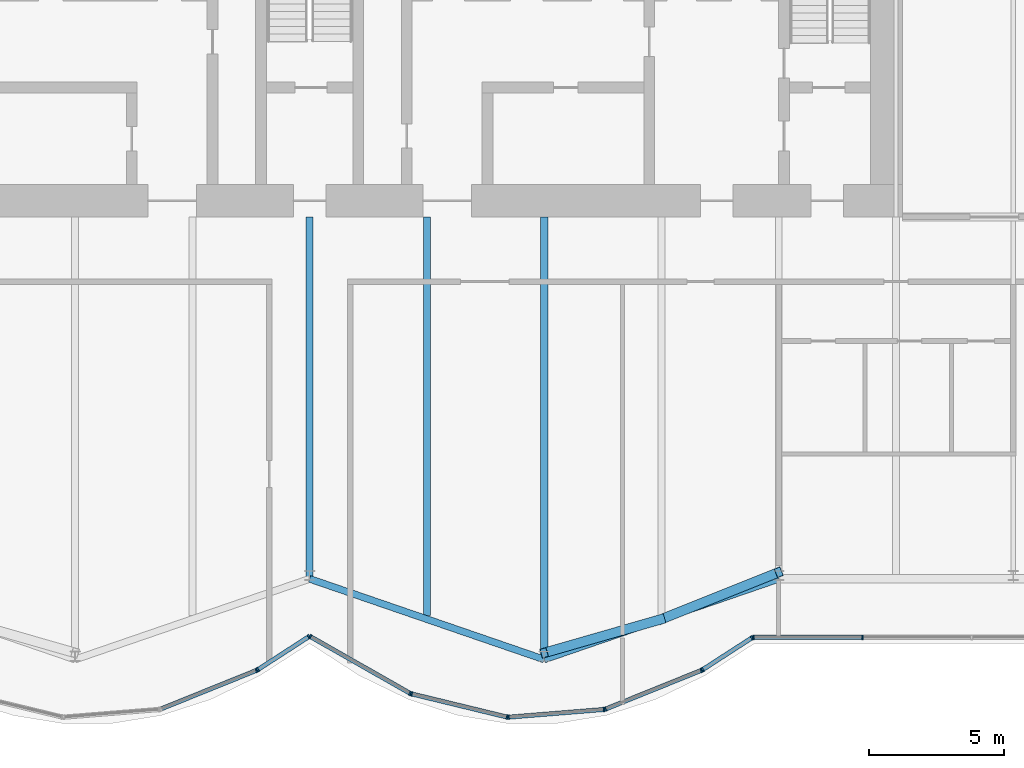
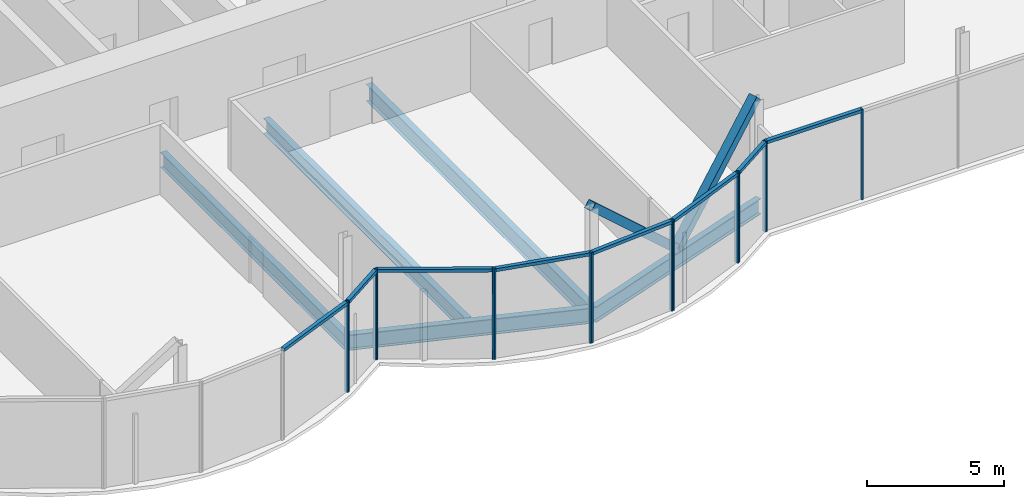
# One storey, part 8 of 19: 25 members, 5 beams, 3 elements without a shape of their own.
"""IFC4 building model written with IfcOpenShell, lengths in metres."""

from ifc_helpers import new_model, si_unit, direction, frame, origin, origin_2d, place, context, subcontext, project, spatial, rectangle, hollow_rectangle, i_section, extrude, material, material_profile, profile_set, type_object, element, aggregate, save


model = new_model("IFC4")

# Units and contexts
model_context = context("Model", 3, precision=1e-05, world=origin(), true_north=direction((0.0, 1.0)))
body_context = subcontext(model_context, "Body", "Model", "MODEL_VIEW")
ifc_project = project(units=[si_unit("LENGTHUNIT", "METRE"), si_unit("AREAUNIT", "SQUARE_METRE"), si_unit("VOLUMEUNIT", "CUBIC_METRE"), si_unit("PLANEANGLEUNIT", "RADIAN"), si_unit("MASSUNIT", "GRAM", prefix="KILO")], contexts=[model_context])

# Site, building, storey
site_placement = place(None, origin())
site = spatial("IfcSite", under=ifc_project, at=site_placement, CompositionType="ELEMENT")
building_placement = place(site_placement, origin())
building = spatial("IfcBuilding", under=site, at=building_placement, Name="Bicima Exchange Tower", CompositionType="ELEMENT")
storey_placement = place(building_placement, frame((0.0, 0.0, 266.60009765625)))
storey = spatial("IfcBuildingStorey", under=building, at=storey_placement, Name="L60", CompositionType="ELEMENT", Elevation=266.60009765625)

# Beams
ifc_material_1 = material(Name="Steel ASTM A992 Gr 50", Category="steel")
ifc_material_profile_1 = material_profile(ifc_material_1, i_section(OverallWidth=0.25390625, OverallDepth=0.67822265625, WebThickness=0.01171875, FlangeThickness=0.016357421875, at=origin_2d()))
ifc_profile_set_1 = profile_set([ifc_material_profile_1], Name="Steel ASTM A992 Gr 50")
beam_type_1 = type_object("IfcBeamType", Name="Floor beam W27x84", PredefinedType="JOIST", material=ifc_profile_set_1)
beam_1_placement = place(storey_placement, frame((0.0, -13.0, -0.4892578125), z_axis=(0.0, -1.0, 0.0), x_axis=(1.0, 0.0, 0.0)))
element("IfcBeam", 1, at=beam_1_placement, inside=storey, type_object=beam_type_1, Name="Floor beam", PredefinedType="JOIST", context=body_context, shape_type="SweptSolid", body=[
    extrude(i_section(OverallWidth=0.25390625, OverallDepth=0.67822265625, WebThickness=0.01171875, FlangeThickness=0.016357421875, at=origin_2d()), origin(), (0.0, 0.0, 1.0), 13.424072265625),
])
beam_2_placement = place(storey_placement, frame((4.35009765625, -13.0, -0.4892578125), z_axis=(0.0, -1.0, 0.0), x_axis=(1.0, 0.0, 0.0)))
element("IfcBeam", 2, at=beam_2_placement, inside=storey, type_object=beam_type_1, Name="Floor beam", PredefinedType="JOIST", context=body_context, shape_type="SweptSolid", body=[
    extrude(i_section(OverallWidth=0.25390625, OverallDepth=0.67822265625, WebThickness=0.01171875, FlangeThickness=0.016357421875, at=origin_2d()), origin(), (0.0, 0.0, 1.0), 14.783935546875),
])
ifc_material_profile_2 = material_profile(ifc_material_1, i_section(OverallWidth=0.2666015625, OverallDepth=0.75439453125, WebThickness=0.01318359375, FlangeThickness=0.01708984375, at=origin_2d()))
ifc_profile_set_2 = profile_set([ifc_material_profile_2], Name="Steel ASTM A992 Gr 50")
beam_type_2 = type_object("IfcBeamType", Name="Floor beam W30x99", PredefinedType="JOIST", material=ifc_profile_set_2)
beam_3_placement = place(storey_placement, frame((8.699951171875, -13.0, -0.52734375), z_axis=(0.0, -1.0, 0.0), x_axis=(1.0, 0.0, 0.0)))
element("IfcBeam", 3, at=beam_3_placement, inside=storey, type_object=beam_type_2, Name="Floor beam", PredefinedType="JOIST", context=body_context, shape_type="SweptSolid", body=[
    extrude(i_section(OverallWidth=0.2666015625, OverallDepth=0.75439453125, WebThickness=0.01318359375, FlangeThickness=0.01708984375, at=origin_2d()), origin(), (0.0, 0.0, 1.0), 16.279296875),
])
ifc_material_profile_3 = material_profile(ifc_material_1, i_section(OverallWidth=0.256591796875, OverallDepth=0.693359375, WebThickness=0.014404296875, FlangeThickness=0.023681640625, at=origin_2d()))
ifc_profile_set_3 = profile_set([ifc_material_profile_3], Name="Steel ASTM A992 Gr 50")
beam_type_3 = type_object("IfcBeamType", Name="Front girder W27x114", PredefinedType="BEAM", material=ifc_profile_set_3)
for number, where, z_axis, x_axis, name in (
    (4, (0.0, -26.424072265625, -0.496826171875), (0.945674616091, -0.32511462668, 0.0), (0.32511462668, 0.945674616091, 0.0), "Front girder"),
    (5, (8.699951171875, -29.4150390625, -0.496826171875), (0.945674616091, 0.32511462668, 0.0), (-0.32511462668, 0.945674616091, 0.0), "Front girder"),
):
    element("IfcBeam", number, at=place(storey_placement, frame(where, z_axis=z_axis, x_axis=x_axis)), inside=storey, type_object=beam_type_3, Name=name, PredefinedType="BEAM", context=body_context, shape_type="SweptSolid", body=[
        extrude(i_section(OverallWidth=0.256591796875, OverallDepth=0.693359375, WebThickness=0.014404296875, FlangeThickness=0.023681640625, at=origin_2d()), origin(), (0.0, 0.0, 1.0), 9.19970703125),
    ])

# Curtain wall, members
ifc_material_2 = material(Name="Anodised bronze aluminium", Category="aluminium")
curtain_wall_type = type_object("IfcCurtainWallType", Name="Front glass wall", PredefinedType="NOTDEFINED", material=ifc_material_2)
curtain_wall_1_placement = place(storey_placement, origin())
curtain_wall_1 = element("IfcCurtainWall", 6, at=curtain_wall_1_placement, inside=storey, type_object=curtain_wall_type, Name="Front glass wall L60 run 6", PredefinedType="NOTDEFINED")
ifc_material_profile_4 = material_profile(ifc_material_2, rectangle(XDim=0.159912109375, YDim=0.06005859375, at=origin_2d()))
ifc_profile_set_4 = profile_set([ifc_material_profile_4], Name="Anodised bronze aluminium")
member_type_1 = type_object("IfcMemberType", Name="Front glass wall mullion 60 x 160", PredefinedType="MULLION", material=ifc_profile_set_4)
member_1_placement = place(storey_placement, frame((-1.97412109375, -29.819580078125, 0.0), z_axis=(0.0, 0.0, 1.0), x_axis=(-0.374705304, 0.92714396679, 0.0)))
member_1 = element("IfcMember", 7, at=member_1_placement, type_object=member_type_1, Name="Front glass wall mullion 2", PredefinedType="MULLION", context=body_context, shape_type="SweptSolid", body=[
    extrude(rectangle(XDim=0.159912109375, YDim=0.06005859375, at=origin_2d()), origin(), (0.0, 0.0, 1.0), 4.0498046875),
])
member_2_placement = place(storey_placement, frame((-1.921142578125, -29.7919921875, 0.0), z_axis=(0.0, 0.0, 1.0), x_axis=(-0.542897457326, 0.839798994301, 0.0)))
member_2 = element("IfcMember", 8, at=member_2_placement, type_object=member_type_1, Name="Front glass wall mullion 1", PredefinedType="MULLION", context=body_context, shape_type="SweptSolid", body=[
    extrude(rectangle(XDim=0.159912109375, YDim=0.06005859375, at=origin_2d()), origin(), (0.0, 0.0, 1.0), 4.0498046875),
])
member_3_placement = place(storey_placement, frame((-0.025146484375, -28.56640625, 0.0), z_axis=(0.0, 0.0, 1.0), x_axis=(-0.542897457326, 0.839798994301, 0.0)))
member_3 = element("IfcMember", 9, at=member_3_placement, type_object=member_type_1, Name="Front glass wall mullion 2", PredefinedType="MULLION", context=body_context, shape_type="SweptSolid", body=[
    extrude(rectangle(XDim=0.159912109375, YDim=0.06005859375, at=origin_2d()), origin(), (0.0, 0.0, 1.0), 4.0498046875),
])

curtain_wall_2_placement = place(storey_placement, origin())
curtain_wall_2 = element("IfcCurtainWall", 10, at=curtain_wall_2_placement, inside=storey, type_object=curtain_wall_type, Name="Front glass wall L60 run 11", PredefinedType="NOTDEFINED")
member_4_placement = place(storey_placement, frame((0.026123046875, -28.56494140625, 0.0), z_axis=(0.0, 0.0, 1.0), x_axis=(0.494330311331, 0.869274147378, 0.0)))
member_4 = element("IfcMember", 11, at=member_4_placement, type_object=member_type_1, Name="Front glass wall mullion 1", PredefinedType="MULLION", context=body_context, shape_type="SweptSolid", body=[
    extrude(rectangle(XDim=0.159912109375, YDim=0.06005859375, at=origin_2d()), origin(), (0.0, 0.0, 1.0), 4.0498046875),
])
member_5_placement = place(storey_placement, frame((3.7265625, -30.66943359375, 0.0), z_axis=(0.0, 0.0, 1.0), x_axis=(0.494330311331, 0.869274147378, 0.0)))
member_5 = element("IfcMember", 12, at=member_5_placement, type_object=member_type_1, Name="Front glass wall mullion 2", PredefinedType="MULLION", context=body_context, shape_type="SweptSolid", body=[
    extrude(rectangle(XDim=0.159912109375, YDim=0.06005859375, at=origin_2d()), origin(), (0.0, 0.0, 1.0), 4.0498046875),
])
member_6_placement = place(storey_placement, frame((3.781982421875, -30.69140625, 0.0), z_axis=(0.0, 0.0, 1.0), x_axis=(0.235681529503, 0.971830343553, 0.0)))
member_6 = element("IfcMember", 13, at=member_6_placement, type_object=member_type_1, Name="Front glass wall mullion 1", PredefinedType="MULLION", context=body_context, shape_type="SweptSolid", body=[
    extrude(rectangle(XDim=0.159912109375, YDim=0.06005859375, at=origin_2d()), origin(), (0.0, 0.0, 1.0), 4.0498046875),
])
member_7_placement = place(storey_placement, frame((7.322509765625, -31.5498046875, 0.0), z_axis=(0.0, 0.0, 1.0), x_axis=(0.235681529503, 0.971830343553, 0.0)))
member_7 = element("IfcMember", 14, at=member_7_placement, type_object=member_type_1, Name="Front glass wall mullion 2", PredefinedType="MULLION", context=body_context, shape_type="SweptSolid", body=[
    extrude(rectangle(XDim=0.159912109375, YDim=0.06005859375, at=origin_2d()), origin(), (0.0, 0.0, 1.0), 4.0498046875),
])
member_8_placement = place(storey_placement, frame((7.381591796875, -31.5546875, 0.0), z_axis=(0.0, 0.0, 1.0), x_axis=(-0.080588612633, 0.99674744821, 0.0)))
member_8 = element("IfcMember", 15, at=member_8_placement, type_object=member_type_1, Name="Front glass wall mullion 1", PredefinedType="MULLION", context=body_context, shape_type="SweptSolid", body=[
    extrude(rectangle(XDim=0.159912109375, YDim=0.06005859375, at=origin_2d()), origin(), (0.0, 0.0, 1.0), 4.0498046875),
])
member_9_placement = place(storey_placement, frame((10.916015625, -31.268798828125, 0.0), z_axis=(0.0, 0.0, 1.0), x_axis=(-0.080588612633, 0.99674744821, 0.0)))
member_9 = element("IfcMember", 16, at=member_9_placement, type_object=member_type_1, Name="Front glass wall mullion 2", PredefinedType="MULLION", context=body_context, shape_type="SweptSolid", body=[
    extrude(rectangle(XDim=0.159912109375, YDim=0.06005859375, at=origin_2d()), origin(), (0.0, 0.0, 1.0), 4.0498046875),
])
member_10_placement = place(storey_placement, frame((10.973876953125, -31.255126953125, 0.0), z_axis=(0.0, 0.0, 1.0), x_axis=(-0.374705304, 0.92714396679, 0.0)))
member_10 = element("IfcMember", 17, at=member_10_placement, type_object=member_type_1, Name="Front glass wall mullion 1", PredefinedType="MULLION", context=body_context, shape_type="SweptSolid", body=[
    extrude(rectangle(XDim=0.159912109375, YDim=0.06005859375, at=origin_2d()), origin(), (0.0, 0.0, 1.0), 4.0498046875),
])
member_11_placement = place(storey_placement, frame((14.52587890625, -29.819580078125, 0.0), z_axis=(0.0, 0.0, 1.0), x_axis=(-0.374705304, 0.92714396679, 0.0)))
member_11 = element("IfcMember", 18, at=member_11_placement, type_object=member_type_1, Name="Front glass wall mullion 2", PredefinedType="MULLION", context=body_context, shape_type="SweptSolid", body=[
    extrude(rectangle(XDim=0.159912109375, YDim=0.06005859375, at=origin_2d()), origin(), (0.0, 0.0, 1.0), 4.0498046875),
])
member_12_placement = place(storey_placement, frame((14.578857421875, -29.7919921875, 0.0), z_axis=(0.0, 0.0, 1.0), x_axis=(-0.542909183079, 0.839791413941, 0.0)))
member_12 = element("IfcMember", 19, at=member_12_placement, type_object=member_type_1, Name="Front glass wall mullion 1", PredefinedType="MULLION", context=body_context, shape_type="SweptSolid", body=[
    extrude(rectangle(XDim=0.159912109375, YDim=0.06005859375, at=origin_2d()), origin(), (0.0, 0.0, 1.0), 4.0498046875),
])
member_13_placement = place(storey_placement, frame((16.406982421875, -28.6103515625, 0.0), z_axis=(0.0, 0.0, 1.0), x_axis=(-0.542909183079, 0.839791413941, 0.0)))
member_13 = element("IfcMember", 20, at=member_13_placement, type_object=member_type_1, Name="Front glass wall mullion 2", PredefinedType="MULLION", context=body_context, shape_type="SweptSolid", body=[
    extrude(rectangle(XDim=0.159912109375, YDim=0.06005859375, at=origin_2d()), origin(), (0.0, 0.0, 1.0), 4.0498046875),
])

curtain_wall_3_placement = place(storey_placement, origin())
curtain_wall_3 = element("IfcCurtainWall", 21, at=curtain_wall_3_placement, inside=storey, type_object=curtain_wall_type, Name="Front glass wall L60 run 16", PredefinedType="NOTDEFINED")
member_14_placement = place(storey_placement, frame((16.462158203125, -28.593994140625, 0.0), z_axis=(0.0, 0.0, 1.0), x_axis=(0.0, 1.0, 0.0)))
member_14 = element("IfcMember", 22, at=member_14_placement, type_object=member_type_1, Name="Front glass wall mullion 1", PredefinedType="MULLION", context=body_context, shape_type="SweptSolid", body=[
    extrude(rectangle(XDim=0.159912109375, YDim=0.06005859375, at=origin_2d()), origin(), (0.0, 0.0, 1.0), 4.0498046875),
])
member_15_placement = place(storey_placement, frame((20.51171875, -28.593994140625, 0.0), z_axis=(0.0, 0.0, 1.0), x_axis=(0.0, 1.0, 0.0)))
member_15 = element("IfcMember", 23, at=member_15_placement, type_object=member_type_1, Name="Front glass wall mullion 2", PredefinedType="MULLION", context=body_context, shape_type="SweptSolid", body=[
    extrude(rectangle(XDim=0.159912109375, YDim=0.06005859375, at=origin_2d()), origin(), (0.0, 0.0, 1.0), 4.0498046875),
])

# Member
ifc_material_profile_5 = material_profile(ifc_material_2, rectangle(XDim=0.159912109375, YDim=0.139892578125, at=origin_2d()))
ifc_profile_set_5 = profile_set([ifc_material_profile_5], Name="Anodised bronze aluminium")
member_type_2 = type_object("IfcMemberType", Name="Front glass wall transom 140 x 160", PredefinedType="USERDEFINED", material=ifc_profile_set_5)
member_16_placement = place(storey_placement, frame((-5.498291015625, -31.243896484375, 3.97998046875), z_axis=(0.927140215882, 0.374714584842, 0.0), x_axis=(-0.374714584842, 0.927140215882, 0.0)))
member_16 = element("IfcMember", 24, at=member_16_placement, type_object=member_type_2, Name="Front glass wall transom 1.1", ObjectType="TRANSOM", PredefinedType="USERDEFINED", context=body_context, shape_type="SweptSolid", body=[
    extrude(rectangle(XDim=0.159912109375, YDim=0.139892578125, at=origin_2d()), origin(), (0.0, 0.0, 1.0), 3.77099609375),
])

member_17_placement = place(storey_placement, frame((-1.89599609375, -29.77587890625, 3.97998046875), z_axis=(0.839811483481, 0.542878137536, 0.0), x_axis=(-0.542878137536, 0.839811483481, 0.0)))
member_17 = element("IfcMember", 25, at=member_17_placement, type_object=member_type_2, Name="Front glass wall transom 1.1", ObjectType="TRANSOM", PredefinedType="USERDEFINED", context=body_context, shape_type="SweptSolid", body=[
    extrude(rectangle(XDim=0.159912109375, YDim=0.139892578125, at=origin_2d()), origin(), (0.0, 0.0, 1.0), 2.19775390625),
])

aggregate(curtain_wall_1, [member_1, member_16, member_2, member_3, member_17])

member_18_placement = place(storey_placement, frame((0.05224609375, -28.579833984375, 3.97998046875), z_axis=(0.869265121745, -0.494346182466, 0.0), x_axis=(0.494346182466, 0.869265121745, 0.0)))
member_18 = element("IfcMember", 26, at=member_18_placement, type_object=member_type_2, Name="Front glass wall transom 1.1", ObjectType="TRANSOM", PredefinedType="USERDEFINED", context=body_context, shape_type="SweptSolid", body=[
    extrude(rectangle(XDim=0.159912109375, YDim=0.139892578125, at=origin_2d()), origin(), (0.0, 0.0, 1.0), 4.19677734375),
])

member_19_placement = place(storey_placement, frame((3.81103515625, -30.6982421875, 3.97998046875), z_axis=(0.971817951661, -0.235732621477, 0.0), x_axis=(0.235732621477, 0.971817951661, 0.0)))
member_19 = element("IfcMember", 27, at=member_19_placement, type_object=member_type_2, Name="Front glass wall transom 1.1", ObjectType="TRANSOM", PredefinedType="USERDEFINED", context=body_context, shape_type="SweptSolid", body=[
    extrude(rectangle(XDim=0.159912109375, YDim=0.139892578125, at=origin_2d()), origin(), (0.0, 0.0, 1.0), 3.58349609375),
])

member_20_placement = place(storey_placement, frame((7.41162109375, -31.55224609375, 3.97998046875), z_axis=(0.9967456465, 0.080610893699, 0.0), x_axis=(-0.080610893699, 0.9967456465, 0.0)))
member_20 = element("IfcMember", 28, at=member_20_placement, type_object=member_type_2, Name="Front glass wall transom 1.1", ObjectType="TRANSOM", PredefinedType="USERDEFINED", context=body_context, shape_type="SweptSolid", body=[
    extrude(rectangle(XDim=0.159912109375, YDim=0.139892578125, at=origin_2d()), origin(), (0.0, 0.0, 1.0), 3.48583984375),
])

member_21_placement = place(storey_placement, frame((11.001708984375, -31.243896484375, 3.97998046875), z_axis=(0.927140215882, 0.374714584842, 0.0), x_axis=(-0.374714584842, 0.927140215882, 0.0)))
member_21 = element("IfcMember", 29, at=member_21_placement, type_object=member_type_2, Name="Front glass wall transom 1.1", ObjectType="TRANSOM", PredefinedType="USERDEFINED", context=body_context, shape_type="SweptSolid", body=[
    extrude(rectangle(XDim=0.159912109375, YDim=0.139892578125, at=origin_2d()), origin(), (0.0, 0.0, 1.0), 3.77099609375),
])

member_22_placement = place(storey_placement, frame((14.60400390625, -29.77587890625, 3.97998046875), z_axis=(0.839792890287, 0.542906899407, 0.0), x_axis=(-0.542906899407, 0.839792890287, 0.0)))
member_22 = element("IfcMember", 30, at=member_22_placement, type_object=member_type_2, Name="Front glass wall transom 1.1", ObjectType="TRANSOM", PredefinedType="USERDEFINED", context=body_context, shape_type="SweptSolid", body=[
    extrude(rectangle(XDim=0.159912109375, YDim=0.139892578125, at=origin_2d()), origin(), (0.0, 0.0, 1.0), 2.11669921875),
])

aggregate(curtain_wall_2, [member_4, member_5, member_18, member_6, member_7, member_19, member_8, member_9, member_20, member_10, member_11, member_21, member_12, member_13, member_22])

member_23_placement = place(storey_placement, frame((16.4921875, -28.593994140625, 3.97998046875), z_axis=(1.0, 0.0, 0.0), x_axis=(0.0, 1.0, 0.0)))
member_23 = element("IfcMember", 31, at=member_23_placement, type_object=member_type_2, Name="Front glass wall transom 1.1", ObjectType="TRANSOM", PredefinedType="USERDEFINED", context=body_context, shape_type="SweptSolid", body=[
    extrude(rectangle(XDim=0.159912109375, YDim=0.139892578125, at=origin_2d()), origin(), (0.0, 0.0, 1.0), 3.989501953125),
])

aggregate(curtain_wall_3, [member_14, member_15, member_23])

# Members
ifc_material_3 = material(Name="Steel ASTM A572 Gr 50", Category="steel")
ifc_material_profile_6 = material_profile(ifc_material_3, hollow_rectangle(XDim=0.355712890625, YDim=0.355712890625, WallThickness=0.0146484375, at=origin_2d()))
ifc_profile_set_6 = profile_set([ifc_material_profile_6], Name="Steel ASTM A572 Gr 50")
member_type_3 = type_object("IfcMemberType", Name="Mega brace HSS14x14x5/8", PredefinedType="BRACE", material=ifc_profile_set_6)
member_24_placement = place(storey_placement, frame((13.050048828125, -27.91943359375, 0.0), z_axis=(0.691353360339, 0.276471498704, 0.667528307679), x_axis=(-0.371309808925, 0.928509033772, 0.0)))
element("IfcMember", 32, at=member_24_placement, inside=storey, type_object=member_type_3, Name="Mega brace front", PredefinedType="BRACE", context=body_context, shape_type="SweptSolid", body=[
    extrude(hollow_rectangle(XDim=0.355712890625, YDim=0.355712890625, WallThickness=0.0146484375, at=origin_2d()), origin(), (0.0, 0.0, 1.0), 6.291748046875),
])
member_25_placement = place(storey_placement, frame((13.050048828125, -27.91943359375, 0.0), z_axis=(-0.704477663836, -0.202708327674, 0.680162153495), x_axis=(0.276522876258, -0.961007335511, 0.0)))
element("IfcMember", 33, at=member_25_placement, inside=storey, type_object=member_type_3, Name="Mega brace front", PredefinedType="BRACE", context=body_context, shape_type="SweptSolid", body=[
    extrude(hollow_rectangle(XDim=0.355712890625, YDim=0.355712890625, WallThickness=0.0146484375, at=origin_2d()), origin(), (0.0, 0.0, 1.0), 6.1748046875),
])

save(model, "model.ifc")
